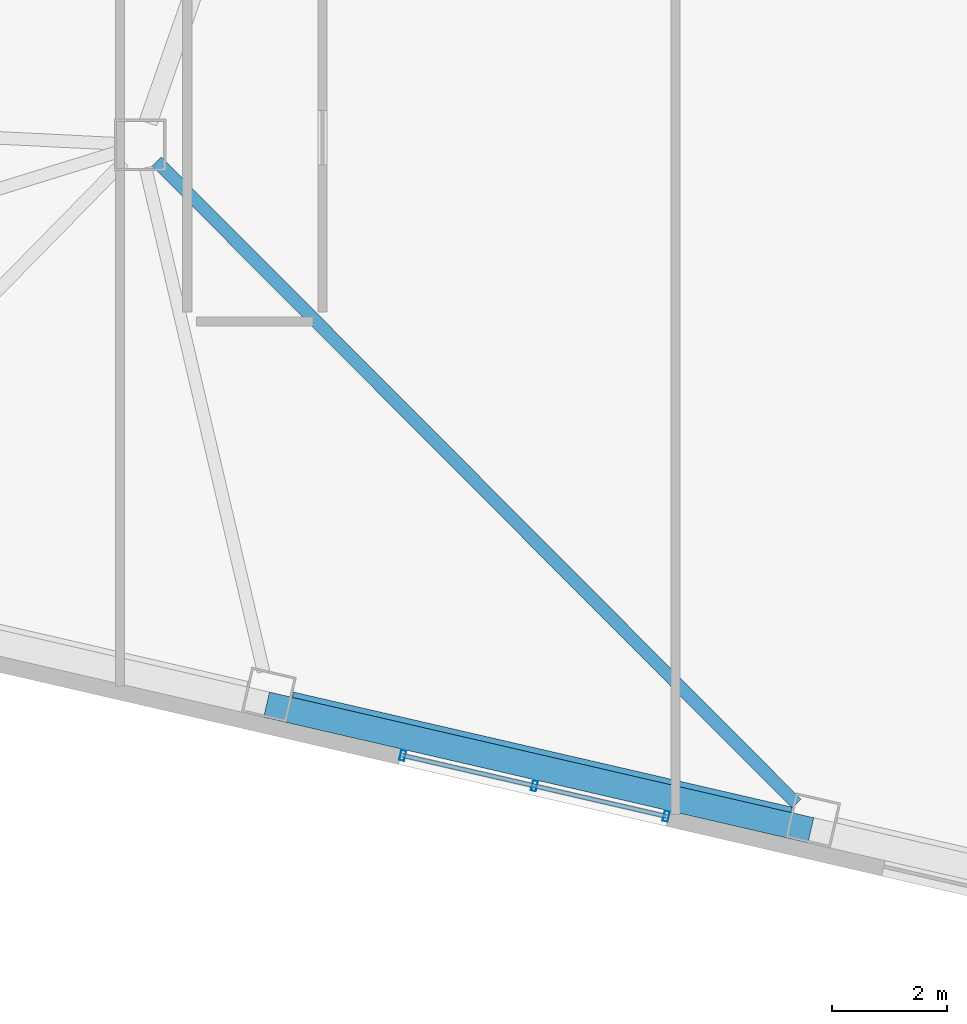
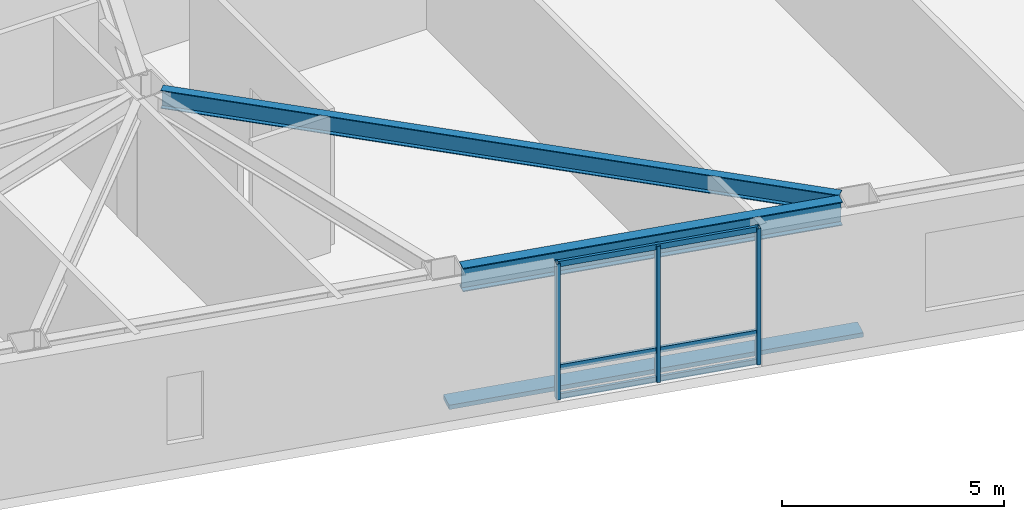
# One storey, part 4 of 21: 7 members, 2 beams, 1 element without a shape of its own.
"""IFC4 building model written with IfcOpenShell, lengths in metres."""

from ifc_helpers import new_model, si_unit, direction, frame, origin, origin_2d, place, context, subcontext, project, spatial, rectangle, hollow_rectangle, i_section, extrude, material, layer, layer_set, material_profile, profile_set, type_object, element, aggregate, save


model = new_model("IFC4")

# Units and contexts
model_context = context("Model", 3, precision=1e-05, world=origin(), true_north=direction((0.0, 1.0)))
body_context = subcontext(model_context, "Body", "Model", "MODEL_VIEW")
ifc_project = project(units=[si_unit("LENGTHUNIT", "METRE"), si_unit("AREAUNIT", "SQUARE_METRE"), si_unit("VOLUMEUNIT", "CUBIC_METRE"), si_unit("PLANEANGLEUNIT", "RADIAN"), si_unit("MASSUNIT", "GRAM", prefix="KILO")], contexts=[model_context])

# Site, building, storey
site_placement = place(None, origin())
site = spatial("IfcSite", under=ifc_project, at=site_placement, CompositionType="ELEMENT")
building_placement = place(site_placement, origin())
building = spatial("IfcBuilding", under=site, at=building_placement, Name="Tavrogorsk Clinical Tower", CompositionType="ELEMENT")
storey_placement = place(building_placement, frame((0.0, 0.0, 71.39990234375)))
storey = spatial("IfcBuildingStorey", under=building, at=storey_placement, Name="L15", CompositionType="ELEMENT", Elevation=71.39990234375)

# Member
ifc_material_1 = material(Name="Anodised aluminium alloy AW-6063", Category="aluminium")
ifc_material_profile_1 = material_profile(ifc_material_1, rectangle(XDim=0.449951171875, YDim=0.1201171875, at=origin_2d()), Name="ALU-SUNSHADE-450x120")
ifc_profile_set_1 = profile_set([ifc_material_profile_1], Name="Anodised aluminium alloy AW-6063")
member_type_1 = type_object("IfcMemberType", Name="ChicagoSunshade_450x120", PredefinedType="USERDEFINED", material=ifc_profile_set_1)
member_1_placement = place(storey_placement, frame((-22.29443359375, -22.96728515625, 0.18017578125), z_axis=(0.97437219846, -0.224941812182, 0.0), x_axis=(0.224941812182, 0.97437219846, 0.0)))
element("IfcMember", 1, at=member_1_placement, inside=storey, type_object=member_type_1, Name="L15 South Aluminium Sunshade S3", ObjectType="SUNSHADE", PredefinedType="USERDEFINED", context=body_context, shape_type="SweptSolid", body=[
    extrude(rectangle(XDim=0.449951171875, YDim=0.1201171875, at=origin_2d()), origin(), (0.0, 0.0, 1.0), 9.74853515625),
])

# Curtain wall, members
ifc_material_2 = material(Name="Anodised aluminium and triple IGU glazing", Category="aluminium")
ifc_layer = layer(ifc_material_2, 0.179931640625)
ifc_layer_set = layer_set([ifc_layer], Name="Anodised aluminium and triple IGU glazing")
curtain_wall_type = type_object("IfcCurtainWallType", Name="CW3_SouthSlot", PredefinedType="NOTDEFINED", material=ifc_layer_set)
curtain_wall_placement = place(storey_placement, origin())
curtain_wall = element("IfcCurtainWall", 2, at=curtain_wall_placement, inside=storey, type_object=curtain_wall_type, Name="L15 Curtain Wall CW-L15-S-SLOT-1", PredefinedType="NOTDEFINED")
ifc_material_3 = material(Name="Anodised aluminium alloy AW-6060", Category="aluminium")
ifc_material_profile_2 = material_profile(ifc_material_3, hollow_rectangle(XDim=0.090087890625, YDim=0.179931640625, WallThickness=0.00634765625, at=origin_2d()), Name="RHS-180x90x6.3")
ifc_profile_set_2 = profile_set([ifc_material_profile_2], Name="Anodised aluminium alloy AW-6060")
member_type_2 = type_object("IfcMemberType", Name="CwMullion_180x90", PredefinedType="MULLION", material=ifc_profile_set_2)
member_2_placement = place(storey_placement, frame((-19.917724609375, -23.8544921875, 0.0), z_axis=(0.0, 0.0, 1.0), x_axis=(0.974370046851, -0.224951132027, 0.0)))
member_2 = element("IfcMember", 3, at=member_2_placement, type_object=member_type_2, Name="CW-L15-S-SLOT-1 Mullion 1", PredefinedType="MULLION", context=body_context, shape_type="SweptSolid", body=[
    extrude(hollow_rectangle(XDim=0.090087890625, YDim=0.179931640625, WallThickness=0.00634765625, at=origin_2d()), origin(), (0.0, 0.0, 1.0), 3.739990234375),
])
member_3_placement = place(storey_placement, frame((-17.619384765625, -24.38525390625, 0.0), z_axis=(0.0, 0.0, 1.0), x_axis=(0.974370046851, -0.224951132027, 0.0)))
member_3 = element("IfcMember", 4, at=member_3_placement, type_object=member_type_2, Name="CW-L15-S-SLOT-1 Mullion 2", PredefinedType="MULLION", context=body_context, shape_type="SweptSolid", body=[
    extrude(hollow_rectangle(XDim=0.090087890625, YDim=0.179931640625, WallThickness=0.00634765625, at=origin_2d()), origin(), (0.0, 0.0, 1.0), 3.739990234375),
])
member_4_placement = place(storey_placement, frame((-15.32080078125, -24.916015625, 0.0), z_axis=(0.0, 0.0, 1.0), x_axis=(0.974370046851, -0.224951132027, 0.0)))
member_4 = element("IfcMember", 5, at=member_4_placement, type_object=member_type_2, Name="CW-L15-S-SLOT-1 Mullion 3", PredefinedType="MULLION", context=body_context, shape_type="SweptSolid", body=[
    extrude(hollow_rectangle(XDim=0.090087890625, YDim=0.179931640625, WallThickness=0.00634765625, at=origin_2d()), origin(), (0.0, 0.0, 1.0), 3.739990234375),
])
ifc_material_4 = material(Name="Anodised aluminium alloy AW-6060", Category="aluminium")
ifc_material_profile_3 = material_profile(ifc_material_4, hollow_rectangle(XDim=0.074951171875, YDim=0.14990234375, WallThickness=0.0048828125, at=origin_2d()), Name="RHS-150x75x5")
ifc_profile_set_3 = profile_set([ifc_material_profile_3], Name="Anodised aluminium alloy AW-6060")
member_type_3 = type_object("IfcMemberType", Name="CwTransom_150x75", PredefinedType="USERDEFINED", material=ifc_profile_set_3)
member_5_placement = place(storey_placement, frame((-19.917724609375, -23.8544921875, 0.050048828125), z_axis=(0.974358915979, -0.224999339672, 0.0), x_axis=(0.224999339672, 0.974358915979, 0.0)))
member_5 = element("IfcMember", 6, at=member_5_placement, type_object=member_type_3, Name="CW-L15-S-SLOT-1 Transom 1", ObjectType="TRANSOM", PredefinedType="USERDEFINED", context=body_context, shape_type="SweptSolid", body=[
    extrude(hollow_rectangle(XDim=0.074951171875, YDim=0.14990234375, WallThickness=0.0048828125, at=origin_2d()), origin(), (0.0, 0.0, 1.0), 4.718017578125),
])
member_6_placement = place(storey_placement, frame((-19.917724609375, -23.8544921875, 0.85009765625), z_axis=(0.974358915979, -0.224999339672, 0.0), x_axis=(0.224999339672, 0.974358915979, 0.0)))
member_6 = element("IfcMember", 7, at=member_6_placement, type_object=member_type_3, Name="CW-L15-S-SLOT-1 Transom 2", ObjectType="TRANSOM", PredefinedType="USERDEFINED", context=body_context, shape_type="SweptSolid", body=[
    extrude(hollow_rectangle(XDim=0.074951171875, YDim=0.14990234375, WallThickness=0.0048828125, at=origin_2d()), origin(), (0.0, 0.0, 1.0), 4.718017578125),
])
member_7_placement = place(storey_placement, frame((-19.917724609375, -23.8544921875, 3.690185546875), z_axis=(0.974358915979, -0.224999339672, 0.0), x_axis=(0.224999339672, 0.974358915979, 0.0)))
member_7 = element("IfcMember", 8, at=member_7_placement, type_object=member_type_3, Name="CW-L15-S-SLOT-1 Transom 3", ObjectType="TRANSOM", PredefinedType="USERDEFINED", context=body_context, shape_type="SweptSolid", body=[
    extrude(hollow_rectangle(XDim=0.074951171875, YDim=0.14990234375, WallThickness=0.0048828125, at=origin_2d()), origin(), (0.0, 0.0, 1.0), 4.718017578125),
])
aggregate(curtain_wall, [member_2, member_3, member_4, member_5, member_6, member_7])

# Beams
ifc_material_5 = material(Name="Structural steel S355", Category="steel")
ifc_material_profile_4 = material_profile(ifc_material_5, i_section(OverallWidth=0.219970703125, OverallDepth=0.5, WebThickness=0.012939453125, FlangeThickness=0.02001953125, at=origin_2d()), Name="B-500x220x13x20")
ifc_profile_set_4 = profile_set([ifc_material_profile_4], Name="Structural steel S355")
beam_type_1 = type_object("IfcBeamType", Name="FloorBeam_B500", PredefinedType="BEAM", material=ifc_profile_set_4)
beam_1_placement = place(storey_placement, frame((-24.210693359375, -13.490478515625, 3.489990234375), z_axis=(0.705909757155, -0.70830178226, 0.0), x_axis=(0.70830178226, 0.705909757155, 0.0)))
element("IfcBeam", 9, at=beam_1_placement, inside=storey, type_object=beam_type_1, Name="L15 Radial Floor Beam S4", PredefinedType="BEAM", context=body_context, shape_type="SweptSolid", body=[
    extrude(i_section(OverallWidth=0.219970703125, OverallDepth=0.5, WebThickness=0.012939453125, FlangeThickness=0.02001953125, at=origin_2d()), origin(), (0.0, 0.0, 1.0), 15.820068359375),
])
ifc_material_6 = material(Name="Structural steel S390", Category="steel")
ifc_material_profile_5 = material_profile(ifc_material_6, i_section(OverallWidth=0.280029296875, OverallDepth=0.64990234375, WebThickness=0.01611328125, FlangeThickness=0.02490234375, at=origin_2d()), Name="B-650x280x16x25")
ifc_profile_set_5 = profile_set([ifc_material_profile_5], Name="Structural steel S390")
beam_type_2 = type_object("IfcBeamType", Name="SpandrelBeam_B650", PredefinedType="SPANDREL", material=ifc_profile_set_5)
beam_2_placement = place(storey_placement, frame((-21.8564453125, -22.8837890625, 3.4150390625), z_axis=(0.974372766602, -0.224939351168, 0.0), x_axis=(0.224939351168, 0.974372766602, 0.0)))
element("IfcBeam", 10, at=beam_2_placement, inside=storey, type_object=beam_type_2, Name="L15 Perimeter Spandrel S3-S4", PredefinedType="SPANDREL", context=body_context, shape_type="SweptSolid", body=[
    extrude(i_section(OverallWidth=0.280029296875, OverallDepth=0.64990234375, WebThickness=0.01611328125, FlangeThickness=0.02490234375, at=origin_2d()), origin(), (0.0, 0.0, 1.0), 8.9326171875),
])

save(model, "model.ifc")
